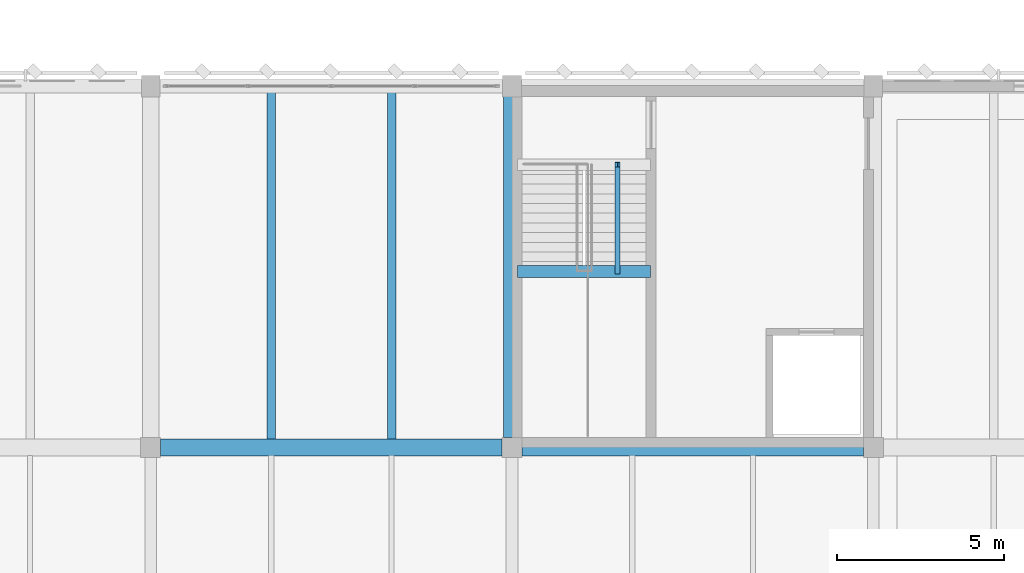
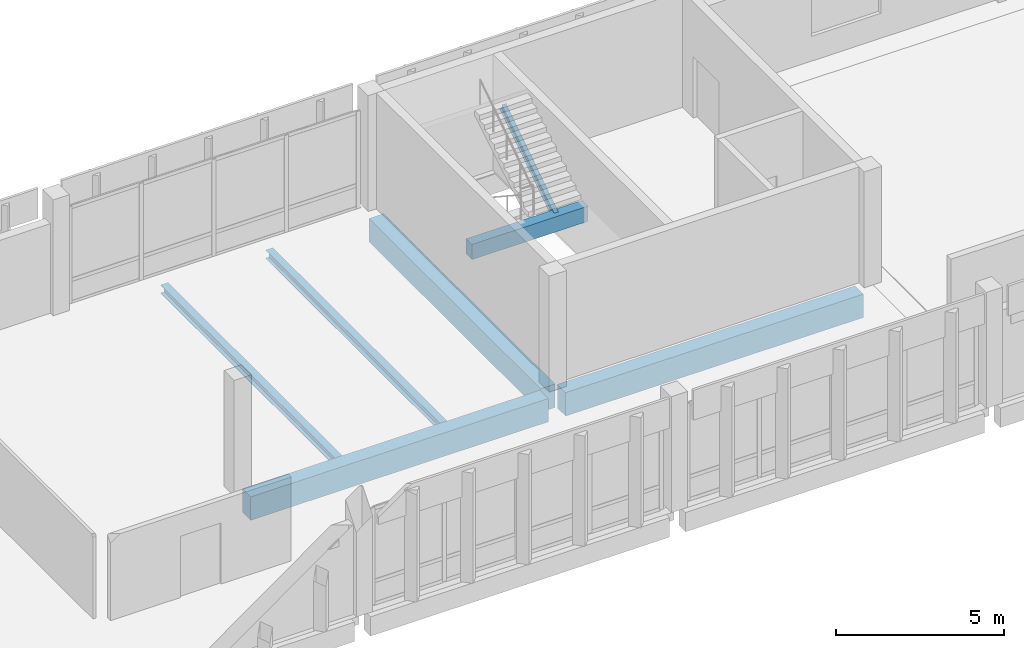
# One storey, part 50 of 158: 7 beams.
"""IFC4 building model written with IfcOpenShell, lengths in metres."""

from ifc_helpers import new_model, si_unit, direction, frame, origin, origin_2d, place, context, subcontext, project, spatial, rectangle, i_section, extrude, material, material_profile, profile_set, type_object, element, save


model = new_model("IFC4")

# Units and contexts
model_context = context("Model", 3, precision=1e-05, world=origin(), true_north=direction((0.0, 1.0)))
body_context = subcontext(model_context, "Body", "Model", "MODEL_VIEW")
ifc_project = project(units=[si_unit("LENGTHUNIT", "METRE"), si_unit("AREAUNIT", "SQUARE_METRE"), si_unit("VOLUMEUNIT", "CUBIC_METRE"), si_unit("PLANEANGLEUNIT", "RADIAN"), si_unit("MASSUNIT", "GRAM", prefix="KILO")], contexts=[model_context])

# Site, building, storey
site_placement = place(None, origin())
site = spatial("IfcSite", under=ifc_project, at=site_placement, CompositionType="ELEMENT")
building_placement = place(site_placement, origin())
building = spatial("IfcBuilding", under=site, at=building_placement, Name="Lusvemor Sports Hall", CompositionType="ELEMENT")
storey_placement = place(building_placement, frame((0.0, 0.0, 10.800048828125)))
storey = spatial("IfcBuildingStorey", under=building, at=storey_placement, Name="L02", CompositionType="ELEMENT", Elevation=10.800048828125)

# Beams
ifc_material_1 = material(Name="Concrete C40/50", Category="concrete")
ifc_material_profile_1 = material_profile(ifc_material_1, rectangle(XDim=0.35009765625, YDim=0.550048828125, at=origin_2d()), Name="RC350x550")
ifc_profile_set_1 = profile_set([ifc_material_profile_1], Name="Concrete C40/50")
beam_type_1 = type_object("IfcBeamType", Name="BEAM_RC_550", PredefinedType="BEAM", material=ifc_profile_set_1)
beam_1_placement = place(storey_placement, frame((54.159912109375, 109.659912109375, 1.64501953125), z_axis=(1.0, 0.0, 0.0), x_axis=(0.0, 1.0, 0.0)))
element("IfcBeam", 1, at=beam_1_placement, inside=storey, type_object=beam_type_1, Name="Stair STR-C2-L02 Mid-Landing Beam", PredefinedType="BEAM", context=body_context, shape_type="SweptSolid", body=[
    extrude(rectangle(XDim=0.35009765625, YDim=0.550048828125, at=origin_2d()), origin(), (0.0, 0.0, 1.0), 3.97998046875),
])
ifc_material_2 = material(Name="Concrete C40/50", Category="concrete")
ifc_material_profile_2 = material_profile(ifc_material_2, rectangle(XDim=0.5, YDim=0.85009765625, at=origin_2d()), Name="RC500x850")
ifc_profile_set_2 = profile_set([ifc_material_profile_2], Name="Concrete C40/50")
beam_type_2 = type_object("IfcBeamType", Name="GIRD_RC_850", PredefinedType="T_BEAM", material=ifc_profile_set_2)
for number, where, z_axis, x_axis, name in (
    (2, (43.49609375, 104.39990234375, -0.68505859375), (1.0, 0.0, 0.0), (0.0, 1.0, 0.0), "Beam L02 P:5-6"),
    (3, (54.2958984375, 104.39990234375, -0.68505859375), (1.0, 0.0, 0.0), (0.0, 1.0, 0.0), "Beam L02 P:6-7"),
):
    element("IfcBeam", number, at=place(storey_placement, frame(where, z_axis=z_axis, x_axis=x_axis)), inside=storey, type_object=beam_type_2, Name=name, PredefinedType="T_BEAM", context=body_context, shape_type="SweptSolid", body=[
        extrude(rectangle(XDim=0.5, YDim=0.85009765625, at=origin_2d()), origin(), (0.0, 0.0, 1.0), 10.2080078125),
    ])
beam_2_placement = place(storey_placement, frame((54.0, 104.696044921875, -0.68505859375), z_axis=(0.0, 1.0, 0.0), x_axis=(-1.0, 0.0, 0.0)))
element("IfcBeam", 4, at=beam_2_placement, inside=storey, type_object=beam_type_2, Name="Beam L02 6:P-Q", PredefinedType="T_BEAM", context=body_context, shape_type="SweptSolid", body=[
    extrude(rectangle(XDim=0.5, YDim=0.85009765625, at=origin_2d()), origin(), (0.0, 0.0, 1.0), 10.18798828125),
])
ifc_material_3 = material(Name="Steel S355", Category="steel")
ifc_material_profile_3 = material_profile(ifc_material_3, i_section(OverallWidth=0.14794921875, OverallDepth=0.26611328125, WebThickness=0.007568359375, FlangeThickness=0.012939453125, FilletRadius=0.012939453125, at=origin_2d()), Name="W250x44.8")
ifc_profile_set_3 = profile_set([ifc_material_profile_3], Name="Steel S355")
beam_type_3 = type_object("IfcBeamType", Name="JOIST_ST_250M", PredefinedType="JOIST", material=ifc_profile_set_3)
beam_3_placement = place(storey_placement, frame((57.159912109375, 109.659912109375, 1.7548828125), z_axis=(0.0, 0.835261802243, 0.549852454495), x_axis=(-1.0, 0.0, 0.0)))
element("IfcBeam", 5, at=beam_3_placement, inside=storey, type_object=beam_type_3, Name="Stair STR-C2-L02 Flight 2 Stringer Beam", PredefinedType="JOIST", context=body_context, shape_type="SweptSolid", body=[
    extrude(i_section(OverallWidth=0.14794921875, OverallDepth=0.26611328125, WebThickness=0.007568359375, FlangeThickness=0.012939453125, FilletRadius=0.012939453125, at=origin_2d()), origin(), (0.0, 0.0, 1.0), 3.8193359375),
])
ifc_material_4 = material(Name="Steel S355", Category="steel")
ifc_material_profile_4 = material_profile(ifc_material_4, i_section(OverallWidth=0.25390625, OverallDepth=0.305908203125, WebThickness=0.0087890625, FlangeThickness=0.0146484375, FilletRadius=0.014892578125, at=origin_2d()), Name="W310x79.0")
ifc_profile_set_4 = profile_set([ifc_material_profile_4], Name="Steel S355")
beam_type_4 = type_object("IfcBeamType", Name="JOIST_ST_310H", PredefinedType="JOIST", material=ifc_profile_set_4)
for number, where, z_axis, x_axis, name in (
    (6, (46.800048828125, 104.64599609375, -0.4169921875), (0.0, 1.0, 0.0), (-1.0, 0.0, 0.0), "Secondary Joist L02 5-6/P-Q #1"),
    (7, (50.39990234375, 104.64599609375, -0.4169921875), (0.0, 1.0, 0.0), (-1.0, 0.0, 0.0), "Secondary Joist L02 5-6/P-Q #2"),
):
    element("IfcBeam", number, at=place(storey_placement, frame(where, z_axis=z_axis, x_axis=x_axis)), inside=storey, type_object=beam_type_4, Name=name, PredefinedType="JOIST", context=body_context, shape_type="SweptSolid", body=[
        extrude(i_section(OverallWidth=0.25390625, OverallDepth=0.305908203125, WebThickness=0.0087890625, FlangeThickness=0.0146484375, FilletRadius=0.014892578125, at=origin_2d()), origin(), (0.0, 0.0, 1.0), 10.35791015625),
    ])

save(model, "model.ifc")
